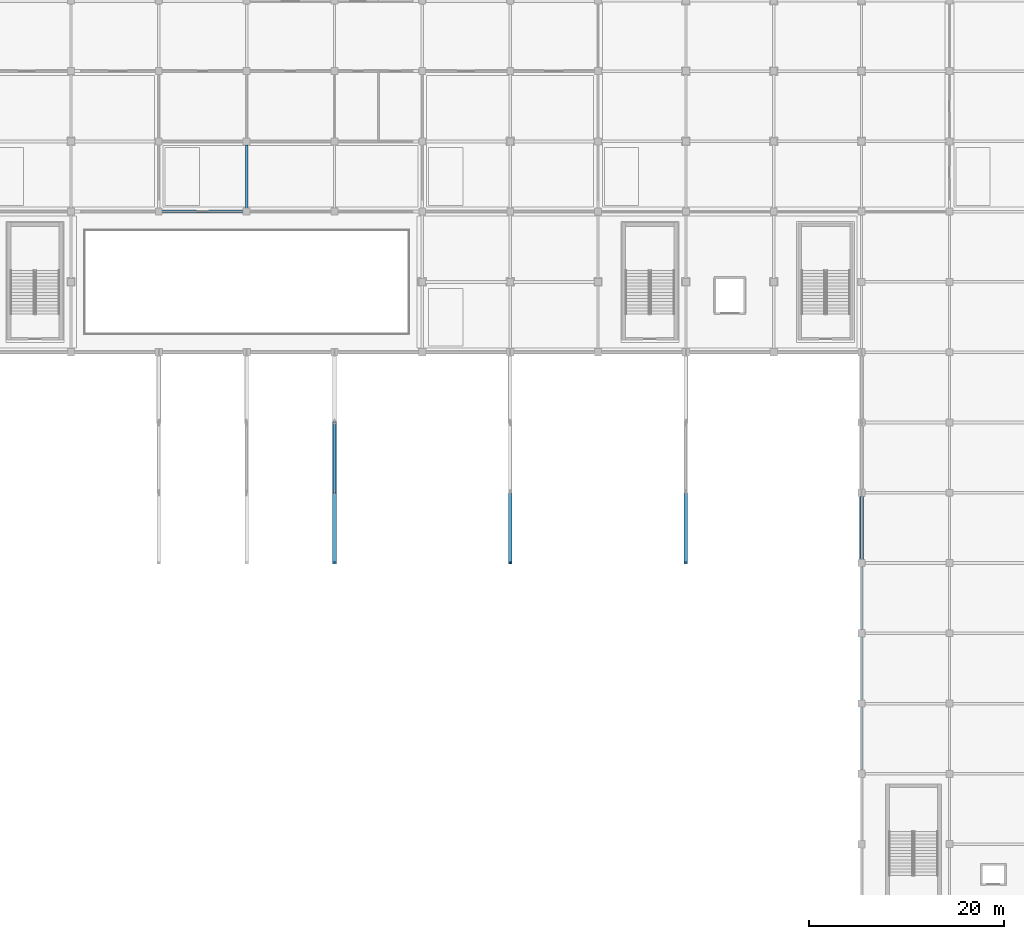
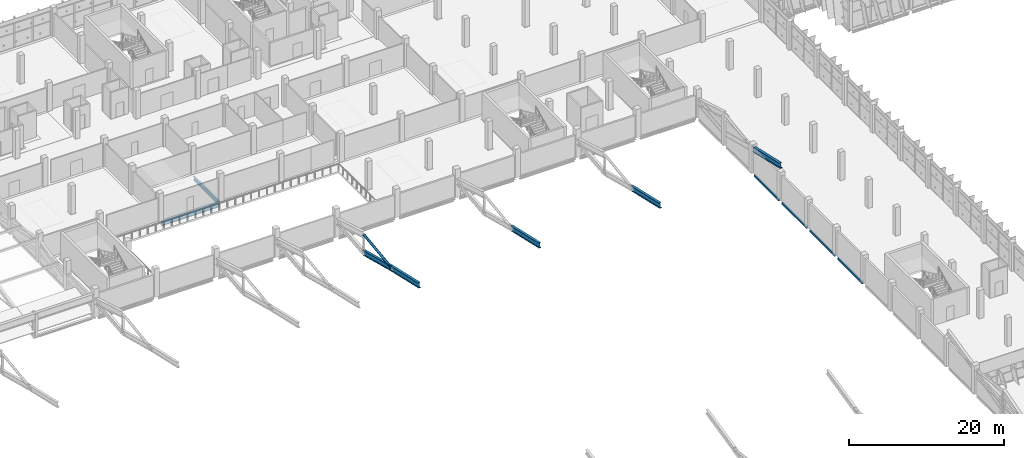
# One storey, part 28 of 151: 6 beams, 6 members.
"""IFC4 building model written with IfcOpenShell, lengths in metres."""

from ifc_helpers import new_model, si_unit, direction, frame, origin, origin_2d, place, context, subcontext, project, spatial, hollow_rectangle, hollow_circle, i_section, extrude, material, material_profile, profile_set, type_object, element, save


model = new_model("IFC4")

# Units and contexts
model_context = context("Model", 3, precision=1e-05, world=origin(), true_north=direction((0.0, 1.0)))
body_context = subcontext(model_context, "Body", "Model", "MODEL_VIEW")
ifc_project = project(units=[si_unit("LENGTHUNIT", "METRE"), si_unit("AREAUNIT", "SQUARE_METRE"), si_unit("VOLUMEUNIT", "CUBIC_METRE"), si_unit("PLANEANGLEUNIT", "RADIAN"), si_unit("MASSUNIT", "GRAM", prefix="KILO")], contexts=[model_context])

# Site, building, storey
site_placement = place(None, origin())
site = spatial("IfcSite", under=ifc_project, at=site_placement, CompositionType="ELEMENT")
building_placement = place(site_placement, origin())
building = spatial("IfcBuilding", under=site, at=building_placement, Name="Celestram Park Convention Centre", CompositionType="ELEMENT")
storey_placement = place(building_placement, frame((0.0, 0.0, 10.800048828125)))
storey = spatial("IfcBuildingStorey", under=building, at=storey_placement, Name="L02", CompositionType="ELEMENT", Elevation=10.800048828125)

# Beams
ifc_material_1 = material(Name="Steel ASTM A992 Grade 50", Category="steel")
ifc_material_profile_1 = material_profile(ifc_material_1, i_section(OverallWidth=0.327880859375, OverallDepth=0.6220703125, WebThickness=0.015380859375, FlangeThickness=0.0244140625, at=origin_2d()), Name="W24X131")
ifc_profile_set_1 = profile_set([ifc_material_profile_1], Name="Steel ASTM A992 Grade 50")
beam_type_1 = type_object("IfcBeamType", Name="STR-BM-W24X131", PredefinedType="BEAM", material=ifc_profile_set_1)
beam_1_placement = place(storey_placement, frame((54.182861328125, 122.39990234375, -0.591064453125), z_axis=(1.0, 0.0, 0.0), x_axis=(0.0, 1.0, 0.0)))
element("IfcBeam", 1, at=beam_1_placement, inside=storey, type_object=beam_type_1, Name="Primary X-girder BG-L02-0041", PredefinedType="BEAM", context=body_context, shape_type="SweptSolid", body=[
    extrude(i_section(OverallWidth=0.327880859375, OverallDepth=0.6220703125, WebThickness=0.015380859375, FlangeThickness=0.0244140625, at=origin_2d()), origin(), (0.0, 0.0, 1.0), 8.63427734375),
])
ifc_material_profile_2 = material_profile(ifc_material_1, i_section(OverallWidth=0.22900390625, OverallDepth=0.612060546875, WebThickness=0.011962890625, FlangeThickness=0.01953125, at=origin_2d()), Name="W24X84")
ifc_profile_set_2 = profile_set([ifc_material_profile_2], Name="Steel ASTM A992 Grade 50")
beam_type_2 = type_object("IfcBeamType", Name="STR-BM-W24X84", PredefinedType="BEAM", material=ifc_profile_set_2)
beam_2_placement = place(storey_placement, frame((63.0, 122.5830078125, -0.5859375), z_axis=(0.0, 1.0, 0.0), x_axis=(-1.0, 0.0, 0.0)))
element("IfcBeam", 2, at=beam_2_placement, inside=storey, type_object=beam_type_2, Name="Primary Y-girder BG-L02-0056", PredefinedType="BEAM", context=body_context, shape_type="SweptSolid", body=[
    extrude(i_section(OverallWidth=0.22900390625, OverallDepth=0.612060546875, WebThickness=0.011962890625, FlangeThickness=0.01953125, at=origin_2d()), origin(), (0.0, 0.0, 1.0), 6.64404296875),
])

# Members
ifc_material_2 = material(Name="Steel ASTM A500 Grade C", Category="steel")
ifc_material_profile_3 = material_profile(ifc_material_2, hollow_circle(Radius=0.177978515625, WallThickness=0.011962890625, at=origin_2d()), Name="CHS356X12")
ifc_profile_set_3 = profile_set([ifc_material_profile_3], Name="Steel ASTM A500 Grade C")
member_type_1 = type_object("IfcMemberType", Name="STR-BRC-CHS356", PredefinedType="BRACE", material=ifc_profile_set_3)
member_1_placement = place(storey_placement, frame((72.0, 93.60009765625, 3.615234375), z_axis=(0.0, 0.991906664472, 0.126969165453), x_axis=(-1.0, 0.0, 0.0)))
element("IfcMember", 3, at=member_1_placement, inside=storey, type_object=member_type_1, Name="V1 arch web diagonal", PredefinedType="BRACE", context=body_context, shape_type="SweptSolid", body=[
    extrude(hollow_circle(Radius=0.177978515625, WallThickness=0.011962890625, at=origin_2d()), origin(), (0.0, 0.0, 1.0), 7.2587890625),
])
ifc_material_profile_4 = material_profile(ifc_material_1, i_section(OverallWidth=0.381103515625, OverallDepth=0.77197265625, WebThickness=0.0166015625, FlangeThickness=0.027099609375, at=origin_2d()), Name="W30X173")
ifc_profile_set_4 = profile_set([ifc_material_profile_4], Name="Steel ASTM A992 Grade 50")
member_type_2 = type_object("IfcMemberType", Name="STR-CHD-W30X173", PredefinedType="CHORD", material=ifc_profile_set_4)
member_2_placement = place(storey_placement, frame((72.0, 86.39990234375, 5.263427734375), z_axis=(0.0, 0.974786863686, -0.223138007485), x_axis=(-1.0, 0.0, 0.0)))
element("IfcMember", 4, at=member_2_placement, inside=storey, type_object=member_type_2, Name="V1 arch bottom chord", PredefinedType="CHORD", context=body_context, shape_type="SweptSolid", body=[
    extrude(i_section(OverallWidth=0.381103515625, OverallDepth=0.77197265625, WebThickness=0.0166015625, FlangeThickness=0.027099609375, at=origin_2d()), origin(), (0.0, 0.0, 1.0), 7.386474609375),
])
member_3_placement = place(storey_placement, frame((72.0, 93.60009765625, 3.615234375), z_axis=(0.0, 0.967611697295, -0.252443267403), x_axis=(-1.0, 0.0, 0.0)))
element("IfcMember", 5, at=member_3_placement, inside=storey, type_object=member_type_2, Name="V1 arch bottom chord", PredefinedType="CHORD", context=body_context, shape_type="SweptSolid", body=[
    extrude(i_section(OverallWidth=0.381103515625, OverallDepth=0.77197265625, WebThickness=0.0166015625, FlangeThickness=0.027099609375, at=origin_2d()), origin(), (0.0, 0.0, 1.0), 7.44091796875),
])
for number, where, z_axis, x_axis, name in (
    (6, (90.0, 86.39990234375, 5.263427734375), (0.0, 0.974786863686, -0.223138007485), (-1.0, 0.0, 0.0), "V1 arch bottom chord"),
    (7, (108.0, 86.39990234375, 5.263427734375), (0.0, 0.974786863686, -0.223138007485), (-1.0, 0.0, 0.0), "V1 arch bottom chord"),
    (8, (126.0, 86.39990234375, 5.263427734375), (0.0, 0.974786863686, -0.223138007485), (-1.0, 0.0, 0.0), "V1 arch bottom chord"),
):
    element("IfcMember", number, at=place(storey_placement, frame(where, z_axis=z_axis, x_axis=x_axis)), inside=storey, type_object=member_type_2, Name=name, PredefinedType="CHORD", context=body_context, shape_type="SweptSolid", body=[
        extrude(i_section(OverallWidth=0.381103515625, OverallDepth=0.77197265625, WebThickness=0.0166015625, FlangeThickness=0.027099609375, at=origin_2d()), origin(), (0.0, 0.0, 1.0), 7.386474609375),
    ])

# Beams
ifc_material_profile_5 = material_profile(ifc_material_2, hollow_rectangle(XDim=0.199951171875, YDim=0.300048828125, WallThickness=0.011962890625, at=origin_2d()), Name="HSS300X200X12")
ifc_profile_set_5 = profile_set([ifc_material_profile_5], Name="Steel ASTM A500 Grade C")
beam_type_3 = type_object("IfcBeamType", Name="STR-SPN-HSS300X200", PredefinedType="SPANDREL", material=ifc_profile_set_5)
for number, where, z_axis, x_axis, name in (
    (9, (126.0, 65.197998046875, -0.429931640625), (0.0, 1.0, 0.0), (-1.0, 0.0, 0.0), "Primary Y-girder BG-L02-0168"),
    (10, (126.0, 72.39794921875, -0.429931640625), (0.0, 1.0, 0.0), (-1.0, 0.0, 0.0), "Primary Y-girder BG-L02-0170"),
    (11, (126.0, 79.597900390625, -0.429931640625), (0.0, 1.0, 0.0), (-1.0, 0.0, 0.0), "Primary Y-girder BG-L02-0172"),
):
    element("IfcBeam", number, at=place(storey_placement, frame(where, z_axis=z_axis, x_axis=x_axis)), inside=storey, type_object=beam_type_3, Name=name, PredefinedType="SPANDREL", context=body_context, shape_type="SweptSolid", body=[
        extrude(hollow_rectangle(XDim=0.199951171875, YDim=0.300048828125, WallThickness=0.011962890625, at=origin_2d()), origin(), (0.0, 0.0, 1.0), 6.404052734375),
    ])
beam_3_placement = place(storey_placement, frame((126.0, 86.798095703125, -0.429931640625), z_axis=(0.0, 1.0, 0.0), x_axis=(-1.0, 0.0, 0.0)))
element("IfcBeam", 12, at=beam_3_placement, inside=storey, type_object=beam_type_3, Name="Primary Y-girder BG-L02-0174", PredefinedType="SPANDREL", context=body_context, shape_type="SweptSolid", body=[
    extrude(hollow_rectangle(XDim=0.199951171875, YDim=0.300048828125, WallThickness=0.011962890625, at=origin_2d()), origin(), (0.0, 0.0, 1.0), 6.40380859375),
])

save(model, "model.ifc")
